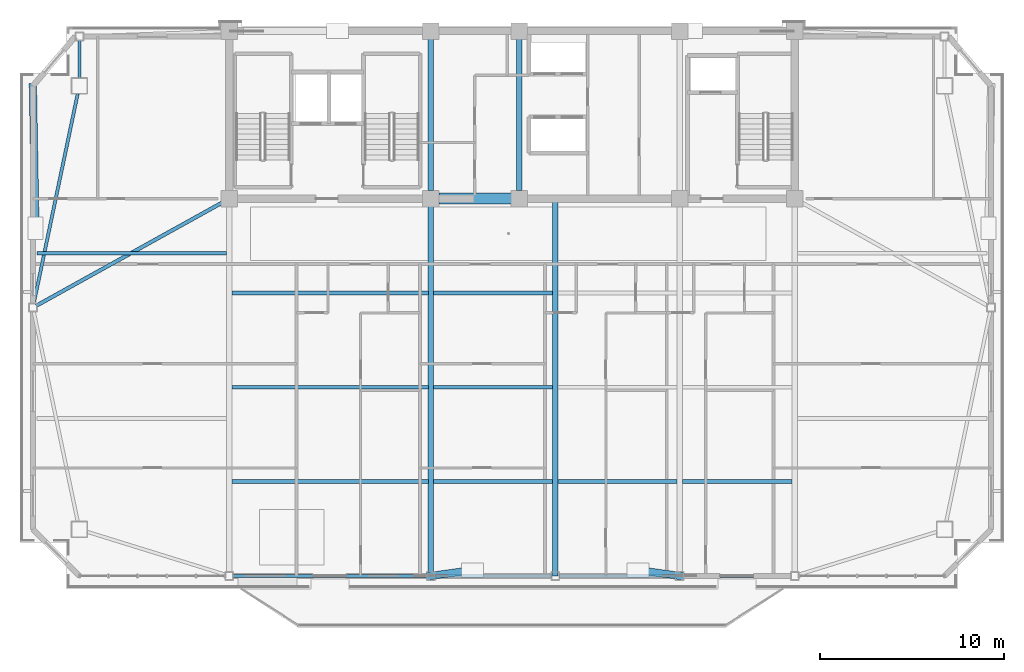
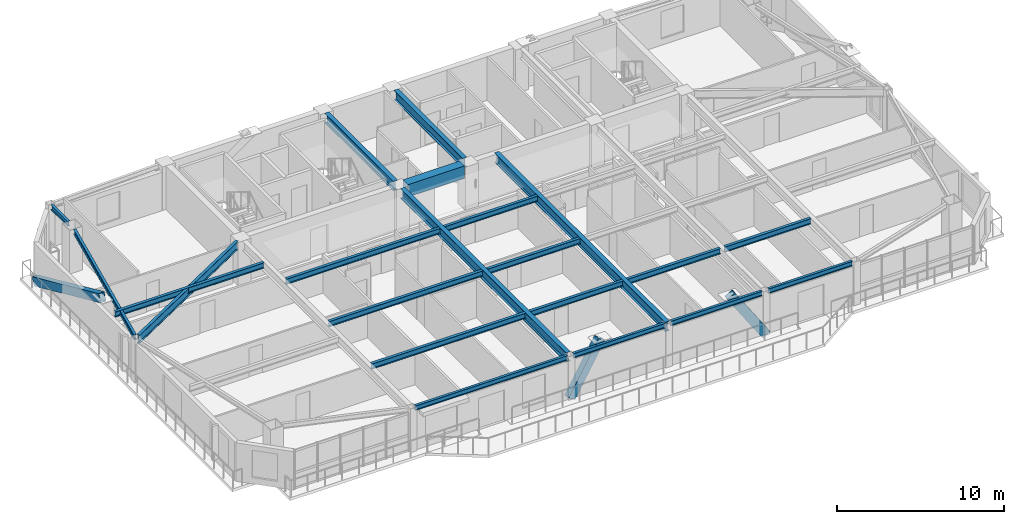
# One storey, part 3 of 17: 21 beams, 3 members.
"""IFC4 building model written with IfcOpenShell, lengths in metres."""

from ifc_helpers import new_model, si_unit, direction, frame, origin, origin_2d, place, context, subcontext, project, spatial, rectangle, hollow_rectangle, i_section, extrude, source, transform, mapped, material, material_profile, profile_set, type_object, element, save


model = new_model("IFC4")

# Units and contexts
model_context = context("Model", 3, precision=1e-05, world=origin(), true_north=direction((0.0, 1.0)))
body_context = subcontext(model_context, "Body", "Model", "MODEL_VIEW")
ifc_project = project(units=[si_unit("LENGTHUNIT", "METRE"), si_unit("AREAUNIT", "SQUARE_METRE"), si_unit("VOLUMEUNIT", "CUBIC_METRE"), si_unit("PLANEANGLEUNIT", "RADIAN"), si_unit("MASSUNIT", "GRAM", prefix="KILO")], contexts=[model_context])

# Site, building, storey
site_placement = place(None, origin())
site = spatial("IfcSite", under=ifc_project, at=site_placement, CompositionType="ELEMENT")
building_placement = place(site_placement, origin())
building = spatial("IfcBuilding", under=site, at=building_placement, Name="Giltprow Tower", CompositionType="ELEMENT")
storey_placement = place(building_placement, frame((0.0, 0.0, 268.89990234375)))
storey = spatial("IfcBuildingStorey", under=building, at=storey_placement, Name="L69", CompositionType="ELEMENT", Elevation=268.89990234375)

# Beams
ifc_material_1 = material(Name="Structural steel Q355B", Category="steel")
ifc_material_profile_1 = material_profile(ifc_material_1, i_section(OverallWidth=0.199951171875, OverallDepth=0.39990234375, WebThickness=0.008056640625, FlangeThickness=0.012939453125, at=origin_2d()), Name="HN 400x200x8x13")
ifc_profile_set_1 = profile_set([ifc_material_profile_1], Name="Structural steel Q355B")
beam_type_1 = type_object("IfcBeamType", Name="BM-JOIST-HN400", PredefinedType="JOIST", material=ifc_profile_set_1)
shared_shape_1 = source(origin(), body_context, "Body", "SweptSolid", [
    extrude(i_section(OverallWidth=0.199951171875, OverallDepth=0.39990234375, WebThickness=0.008056640625, FlangeThickness=0.012939453125, at=origin_2d()), origin(), (0.0, 0.0, 1.0), 10.659912109375),
])
for number, where, z_axis, x_axis, name in (
    (1, (19.9951171875, 22.094970703125, 2.985107421875), (1.0, 0.0, 0.0), (0.0, 1.0, 0.0), "L69 Composite Floor Joist 1-1"),
    (2, (19.9951171875, 27.212890625, 2.985107421875), (1.0, 0.0, 0.0), (0.0, 1.0, 0.0), "L69 Composite Floor Joist 2-1"),
    (3, (19.9951171875, 32.33203125, 2.985107421875), (1.0, 0.0, 0.0), (0.0, 1.0, 0.0), "L69 Composite Floor Joist 3-1"),
):
    element("IfcBeam", number, at=place(storey_placement, frame(where, z_axis=z_axis, x_axis=x_axis)), inside=storey, type_object=beam_type_1, Name=name, PredefinedType="JOIST", context=body_context, shape_type="MappedRepresentation", body=[
        mapped(shared_shape_1, transform((0.0, 0.0, 0.0), x_axis=(1.0, 0.0, 0.0), y_axis=(0.0, 1.0, 0.0), z_axis=(0.0, 0.0, 1.0), scale=1.0)),
    ])
shared_shape_2 = source(origin(), body_context, "Body", "SweptSolid", [
    extrude(i_section(OverallWidth=0.199951171875, OverallDepth=0.39990234375, WebThickness=0.008056640625, FlangeThickness=0.012939453125, at=origin_2d()), origin(), (0.0, 0.0, 1.0), 6.4599609375),
])
for number, where, z_axis, x_axis, name in (
    (4, (30.945068359375, 22.094970703125, 2.985107421875), (1.0, 0.0, 0.0), (0.0, 1.0, 0.0), "L69 Composite Floor Joist 1-2"),
    (5, (37.695068359375, 22.094970703125, 2.985107421875), (1.0, 0.0, 0.0), (0.0, 1.0, 0.0), "L69 Composite Floor Joist 1-3"),
    (6, (30.945068359375, 27.212890625, 2.985107421875), (1.0, 0.0, 0.0), (0.0, 1.0, 0.0), "L69 Composite Floor Joist 2-2"),
    (7, (30.945068359375, 32.33203125, 2.985107421875), (1.0, 0.0, 0.0), (0.0, 1.0, 0.0), "L69 Composite Floor Joist 3-2"),
):
    element("IfcBeam", number, at=place(storey_placement, frame(where, z_axis=z_axis, x_axis=x_axis)), inside=storey, type_object=beam_type_1, Name=name, PredefinedType="JOIST", context=body_context, shape_type="MappedRepresentation", body=[
        mapped(shared_shape_2, transform((0.0, 0.0, 0.0), x_axis=(1.0, 0.0, 0.0), y_axis=(0.0, 1.0, 0.0), z_axis=(0.0, 0.0, 1.0), scale=1.0)),
    ])
shared_shape_3 = source(origin(), body_context, "Body", "SweptSolid", [
    extrude(i_section(OverallWidth=0.199951171875, OverallDepth=0.39990234375, WebThickness=0.008056640625, FlangeThickness=0.012939453125, at=origin_2d()), origin(), (0.0, 0.0, 1.0), 5.9599609375),
])
beam_1_placement = place(storey_placement, frame((44.445068359375, 22.094970703125, 2.985107421875), z_axis=(1.0, 0.0, 0.0), x_axis=(0.0, 1.0, 0.0)))
element("IfcBeam", 8, at=beam_1_placement, inside=storey, type_object=beam_type_1, Name="L69 Composite Floor Joist 1-4", PredefinedType="JOIST", context=body_context, shape_type="MappedRepresentation", body=[
    mapped(shared_shape_3, transform((0.0, 0.0, 0.0), x_axis=(1.0, 0.0, 0.0), y_axis=(0.0, 1.0, 0.0), z_axis=(0.0, 0.0, 1.0), scale=1.0)),
])
ifc_material_2 = material(Name="Concrete C50", Category="concrete")
ifc_material_profile_2 = material_profile(ifc_material_2, rectangle(XDim=0.60009765625, YDim=0.89990234375, at=origin_2d()), Name="RC 900x600")
ifc_profile_set_2 = profile_set([ifc_material_profile_2], Name="Concrete C50")
beam_type_2 = type_object("IfcBeamType", Name="BM-CPL-RC900", PredefinedType="LINTEL", material=ifc_profile_set_2)
shared_shape_4 = source(origin(), body_context, "Body", "SweptSolid", [
    extrude(rectangle(XDim=0.60009765625, YDim=0.89990234375, at=origin_2d()), origin(), (0.0, 0.0, 1.0), 3.929931640625),
])
beam_2_placement = place(storey_placement, frame((31.235107421875, 37.449951171875, 2.735107421875), z_axis=(1.0, 0.0, 0.0), x_axis=(0.0, 1.0, 0.0)))
element("IfcBeam", 9, at=beam_2_placement, inside=storey, type_object=beam_type_2, Name="L69 Core Coupling Beam CB-1", PredefinedType="LINTEL", context=body_context, shape_type="MappedRepresentation", body=[
    mapped(shared_shape_4, transform((0.0, 0.0, 0.0), x_axis=(1.0, 0.0, 0.0), y_axis=(0.0, 1.0, 0.0), z_axis=(0.0, 0.0, 1.0), scale=1.0)),
])
ifc_material_profile_3 = material_profile(ifc_material_1, i_section(OverallWidth=0.300048828125, OverallDepth=0.699951171875, WebThickness=0.012939453125, FlangeThickness=0.02392578125, at=origin_2d()), Name="HN 700x300x13x24")
ifc_profile_set_3 = profile_set([ifc_material_profile_3], Name="Structural steel Q355B")
beam_type_3 = type_object("IfcBeamType", Name="BM-GIRD-HN700", PredefinedType="BEAM", material=ifc_profile_set_3)
shared_shape_5 = source(origin(), body_context, "Body", "SweptSolid", [
    extrude(i_section(OverallWidth=0.300048828125, OverallDepth=0.699951171875, WebThickness=0.012939453125, FlangeThickness=0.02392578125, at=origin_2d()), origin(), (0.0, 0.0, 1.0), 8.22998046875),
])
for number, where, z_axis, x_axis, name in (
    (10, (30.800048828125, 37.885009765625, 2.835205078125), (0.0, 1.0, 0.0), (-1.0, 0.0, 0.0), "L69 Core Tie Girder M1"),
    (11, (35.60009765625, 37.885009765625, 2.835205078125), (0.0, 1.0, 0.0), (-1.0, 0.0, 0.0), "L69 Core Tie Girder M2"),
):
    element("IfcBeam", number, at=place(storey_placement, frame(where, z_axis=z_axis, x_axis=x_axis)), inside=storey, type_object=beam_type_3, Name=name, PredefinedType="BEAM", context=body_context, shape_type="MappedRepresentation", body=[
        mapped(shared_shape_5, transform((0.0, 0.0, 0.0), x_axis=(1.0, 0.0, 0.0), y_axis=(0.0, 1.0, 0.0), z_axis=(0.0, 0.0, 1.0), scale=1.0)),
    ])
shared_shape_6 = source(origin(), body_context, "Body", "SweptSolid", [
    extrude(i_section(OverallWidth=0.300048828125, OverallDepth=0.699951171875, WebThickness=0.012939453125, FlangeThickness=0.02392578125, at=origin_2d()), origin(), (0.0, 0.0, 1.0), 20.473876953125),
])
beam_3_placement = place(storey_placement, frame((37.550048828125, 16.97607421875, 2.835205078125), z_axis=(0.0, 1.0, 0.0), x_axis=(-1.0, 0.0, 0.0)))
element("IfcBeam", 12, at=beam_3_placement, inside=storey, type_object=beam_type_3, Name="L69 Central Lease Girder SMID", PredefinedType="BEAM", context=body_context, shape_type="MappedRepresentation", body=[
    mapped(shared_shape_6, transform((0.0, 0.0, 0.0), x_axis=(1.0, 0.0, 0.0), y_axis=(0.0, 1.0, 0.0), z_axis=(0.0, 0.0, 1.0), scale=1.0)),
])
shared_shape_7 = source(origin(), body_context, "Body", "SweptSolid", [
    extrude(i_section(OverallWidth=0.199951171875, OverallDepth=0.39990234375, WebThickness=0.008056640625, FlangeThickness=0.012939453125, at=origin_2d()), origin(), (0.0, 0.0, 1.0), 10.291015625),
])
beam_4_placement = place(storey_placement, frame((9.4140625, 34.493896484375, 2.985107421875), z_axis=(1.0, 0.0, 0.0), x_axis=(0.0, 1.0, 0.0)))
element("IfcBeam", 13, at=beam_4_placement, inside=storey, type_object=beam_type_1, Name="L69 West Wing Floor Joist 2", PredefinedType="JOIST", context=body_context, shape_type="MappedRepresentation", body=[
    mapped(shared_shape_7, transform((0.0, 0.0, 0.0), x_axis=(1.0, 0.0, 0.0), y_axis=(0.0, 1.0, 0.0), z_axis=(0.0, 0.0, 1.0), scale=1.0)),
])
ifc_material_profile_4 = material_profile(ifc_material_1, i_section(OverallWidth=0.175048828125, OverallDepth=0.35009765625, WebThickness=0.007080078125, FlangeThickness=0.010986328125, at=origin_2d()), Name="HN 350x175x7x11")
ifc_profile_set_4 = profile_set([ifc_material_profile_4], Name="Structural steel Q355B")
beam_type_4 = type_object("IfcBeamType", Name="BM-SPAN-HN350", PredefinedType="SPANDREL", material=ifc_profile_set_4)
shared_shape_8 = source(origin(), body_context, "Body", "SweptSolid", [
    extrude(i_section(OverallWidth=0.175048828125, OverallDepth=0.35009765625, WebThickness=0.007080078125, FlangeThickness=0.010986328125, at=origin_2d()), origin(), (0.0, 0.0, 1.0), 10.530029296875),
])
beam_5_placement = place(storey_placement, frame((20.06005859375, 16.97607421875, 3.010009765625), z_axis=(1.0, 0.0, 0.0), x_axis=(0.0, 1.0, 0.0)))
element("IfcBeam", 14, at=beam_5_placement, inside=storey, type_object=beam_type_4, Name="L69 Perimeter Spandrel Beam S1-S2", PredefinedType="SPANDREL", context=body_context, shape_type="MappedRepresentation", body=[
    mapped(shared_shape_8, transform((0.0, 0.0, 0.0), x_axis=(1.0, 0.0, 0.0), y_axis=(0.0, 1.0, 0.0), z_axis=(0.0, 0.0, 1.0), scale=1.0)),
])
shared_shape_9 = source(origin(), body_context, "Body", "SweptSolid", [
    extrude(i_section(OverallWidth=0.175048828125, OverallDepth=0.35009765625, WebThickness=0.007080078125, FlangeThickness=0.010986328125, at=origin_2d()), origin(), (0.0, 0.0, 1.0), 6.330078125),
])
for number, where, z_axis, x_axis, name in (
    (15, (31.010009765625, 16.97607421875, 3.010009765625), (1.0, 0.0, 0.0), (0.0, 1.0, 0.0), "L69 Perimeter Spandrel Beam S2-S_MID"),
    (16, (37.760009765625, 16.97607421875, 3.010009765625), (1.0, 0.0, 0.0), (0.0, 1.0, 0.0), "L69 Perimeter Spandrel Beam S_MID-S3"),
):
    element("IfcBeam", number, at=place(storey_placement, frame(where, z_axis=z_axis, x_axis=x_axis)), inside=storey, type_object=beam_type_4, Name=name, PredefinedType="SPANDREL", context=body_context, shape_type="MappedRepresentation", body=[
        mapped(shared_shape_9, transform((0.0, 0.0, 0.0), x_axis=(1.0, 0.0, 0.0), y_axis=(0.0, 1.0, 0.0), z_axis=(0.0, 0.0, 1.0), scale=1.0)),
    ])
shared_shape_10 = source(origin(), body_context, "Body", "SweptSolid", [
    extrude(i_section(OverallWidth=0.175048828125, OverallDepth=0.35009765625, WebThickness=0.007080078125, FlangeThickness=0.010986328125, at=origin_2d()), origin(), (0.0, 0.0, 1.0), 5.830078125),
])
beam_6_placement = place(storey_placement, frame((44.510009765625, 16.97607421875, 3.010009765625), z_axis=(1.0, 0.0, 0.0), x_axis=(0.0, 1.0, 0.0)))
element("IfcBeam", 17, at=beam_6_placement, inside=storey, type_object=beam_type_4, Name="L69 Perimeter Spandrel Beam S3-S4", PredefinedType="SPANDREL", context=body_context, shape_type="MappedRepresentation", body=[
    mapped(shared_shape_10, transform((0.0, 0.0, 0.0), x_axis=(1.0, 0.0, 0.0), y_axis=(0.0, 1.0, 0.0), z_axis=(0.0, 0.0, 1.0), scale=1.0)),
])
shared_shape_11 = source(origin(), body_context, "Body", "SweptSolid", [
    extrude(i_section(OverallWidth=0.175048828125, OverallDepth=0.35009765625, WebThickness=0.007080078125, FlangeThickness=0.010986328125, at=origin_2d()), origin(), (0.0, 0.0, 1.0), 11.65478515625),
])
beam_7_placement = place(storey_placement, frame((11.6279296875, 43.15087890625, 3.010009765625), z_axis=(-0.205139436655, -0.978732757973, 0.0), x_axis=(0.978732757973, -0.205139436655, 0.0)))
element("IfcBeam", 18, at=beam_7_placement, inside=storey, type_object=beam_type_4, Name="L69 Perimeter Spandrel Beam MC_NW-W_MID", PredefinedType="SPANDREL", context=body_context, shape_type="MappedRepresentation", body=[
    mapped(shared_shape_11, transform((0.0, 0.0, 0.0), x_axis=(1.0, 0.0, 0.0), y_axis=(0.0, 1.0, 0.0), z_axis=(0.0, 0.0, 1.0), scale=1.0)),
])
shared_shape_12 = source(origin(), body_context, "Body", "SweptSolid", [
    extrude(i_section(OverallWidth=0.175048828125, OverallDepth=0.35009765625, WebThickness=0.007080078125, FlangeThickness=0.010986328125, at=origin_2d()), origin(), (0.0, 0.0, 1.0), 2.028076171875),
])
beam_8_placement = place(storey_placement, frame((11.717041015625, 46.0400390625, 3.010009765625), z_axis=(0.0, -1.0, 0.0), x_axis=(1.0, 0.0, 0.0)))
element("IfcBeam", 19, at=beam_8_placement, inside=storey, type_object=beam_type_4, Name="L69 Perimeter Spandrel Beam N_W-MC_NW", PredefinedType="SPANDREL", context=body_context, shape_type="MappedRepresentation", body=[
    mapped(shared_shape_12, transform((0.0, 0.0, 0.0), x_axis=(1.0, 0.0, 0.0), y_axis=(0.0, 1.0, 0.0), z_axis=(0.0, 0.0, 1.0), scale=1.0)),
])
shared_shape_13 = source(origin(), body_context, "Body", "SweptSolid", [
    extrude(i_section(OverallWidth=0.300048828125, OverallDepth=0.699951171875, WebThickness=0.012939453125, FlangeThickness=0.02392578125, at=origin_2d()), origin(), (0.0, 0.0, 1.0), 19.828857421875),
])
beam_9_placement = place(storey_placement, frame((30.800048828125, 17.18603515625, 2.835205078125), z_axis=(0.0, 1.0, 0.0), x_axis=(-1.0, 0.0, 0.0)))
element("IfcBeam", 20, at=beam_9_placement, inside=storey, type_object=beam_type_3, Name="L69 Primary Lease Girder S2", PredefinedType="BEAM", context=body_context, shape_type="MappedRepresentation", body=[
    mapped(shared_shape_13, transform((0.0, 0.0, 0.0), x_axis=(1.0, 0.0, 0.0), y_axis=(0.0, 1.0, 0.0), z_axis=(0.0, 0.0, 1.0), scale=1.0)),
])
ifc_material_profile_5 = material_profile(ifc_material_1, i_section(OverallWidth=0.199951171875, OverallDepth=0.60009765625, WebThickness=0.010986328125, FlangeThickness=0.01708984375, at=origin_2d()), Name="HN 600x200x11x17")
ifc_profile_set_5 = profile_set([ifc_material_profile_5], Name="Structural steel Q355B")
beam_type_5 = type_object("IfcBeamType", Name="BM-GIRD-HN600", PredefinedType="BEAM", material=ifc_profile_set_5)
shared_shape_14 = source(origin(), body_context, "Body", "SweptSolid", [
    extrude(i_section(OverallWidth=0.199951171875, OverallDepth=0.60009765625, WebThickness=0.010986328125, FlangeThickness=0.01708984375, at=origin_2d()), origin(), (0.0, 0.0, 1.0), 11.541259765625),
])
beam_10_placement = place(storey_placement, frame((9.3779296875, 31.639892578125, 2.885009765625), z_axis=(0.874435524769, 0.48514174529, 0.0), x_axis=(-0.48514174529, 0.874435524769, 0.0)))
element("IfcBeam", 21, at=beam_10_placement, inside=storey, type_object=beam_type_5, Name="L69 West Wing Primary Girder", PredefinedType="BEAM", context=body_context, shape_type="MappedRepresentation", body=[
    mapped(shared_shape_14, transform((0.0, 0.0, 0.0), x_axis=(1.0, 0.0, 0.0), y_axis=(0.0, 1.0, 0.0), z_axis=(0.0, 0.0, 1.0), scale=1.0)),
])

# Members
ifc_material_3 = material(Name="Structural steel Q420GJC", Category="steel")
ifc_material_profile_6 = material_profile(ifc_material_3, hollow_rectangle(XDim=0.39990234375, YDim=0.60009765625, WallThickness=0.028076171875, at=origin_2d()), Name="RHS 600x400x28")
ifc_profile_set_6 = profile_set([ifc_material_profile_6], Name="Structural steel Q420GJC")
member_type = type_object("IfcMemberType", Name="MBR-MEGA-RHS600", PredefinedType="BRACE", material=ifc_profile_set_6)
shared_shape_15 = source(origin(), body_context, "Body", "SweptSolid", [
    extrude(hollow_rectangle(XDim=0.39990234375, YDim=0.60009765625, WallThickness=0.028076171875, at=origin_2d()), origin(), (0.0, 0.0, 1.0), 4.089111328125),
])
for number, where, z_axis, x_axis, name in (
    (22, (30.800048828125, 16.97607421875, 0.0), (0.550251554115, 0.076065590271, 0.831527060998), (-0.136935639325, 0.990579946639, 0.0), "L69 Chevron Mega-Brace S-L"),
    (23, (44.300048828125, 16.97607421875, 0.0), (-0.550251554115, 0.076065590271, 0.831527060998), (-0.136935639325, -0.990579946639, 0.0), "L69 Chevron Mega-Brace S-R"),
):
    element("IfcMember", number, at=place(storey_placement, frame(where, z_axis=z_axis, x_axis=x_axis)), inside=storey, type_object=member_type, Name=name, PredefinedType="BRACE", context=body_context, shape_type="MappedRepresentation", body=[
        mapped(shared_shape_15, transform((0.0, 0.0, 0.0), x_axis=(1.0, 0.0, 0.0), y_axis=(0.0, 1.0, 0.0), z_axis=(0.0, 0.0, 1.0), scale=1.0)),
    ])
shared_shape_16 = source(origin(), body_context, "Body", "SweptSolid", [
    extrude(hollow_rectangle(XDim=0.39990234375, YDim=0.60009765625, WallThickness=0.028076171875, at=origin_2d()), origin(), (0.0, 0.0, 1.0), 8.44677734375),
])
member_placement = place(storey_placement, frame((9.194091796875, 43.576904296875, 0.0), z_axis=(0.0163304612, -0.915257317457, 0.402538642715), x_axis=(0.999840860934, 0.017839641459, 0.0)))
element("IfcMember", 24, at=member_placement, inside=storey, type_object=member_type, Name="L69 Chevron Mega-Brace W-D", PredefinedType="BRACE", context=body_context, shape_type="MappedRepresentation", body=[
    mapped(shared_shape_16, transform((0.0, 0.0, 0.0), x_axis=(1.0, 0.0, 0.0), y_axis=(0.0, 1.0, 0.0), z_axis=(0.0, 0.0, 1.0), scale=1.0)),
])

save(model, "model.ifc")
